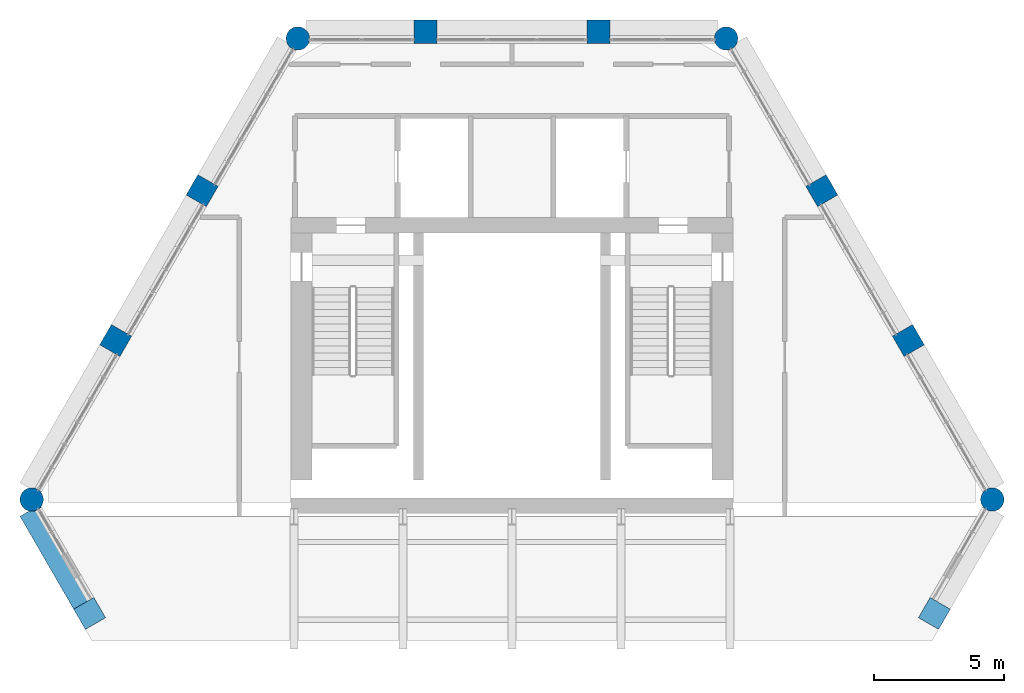
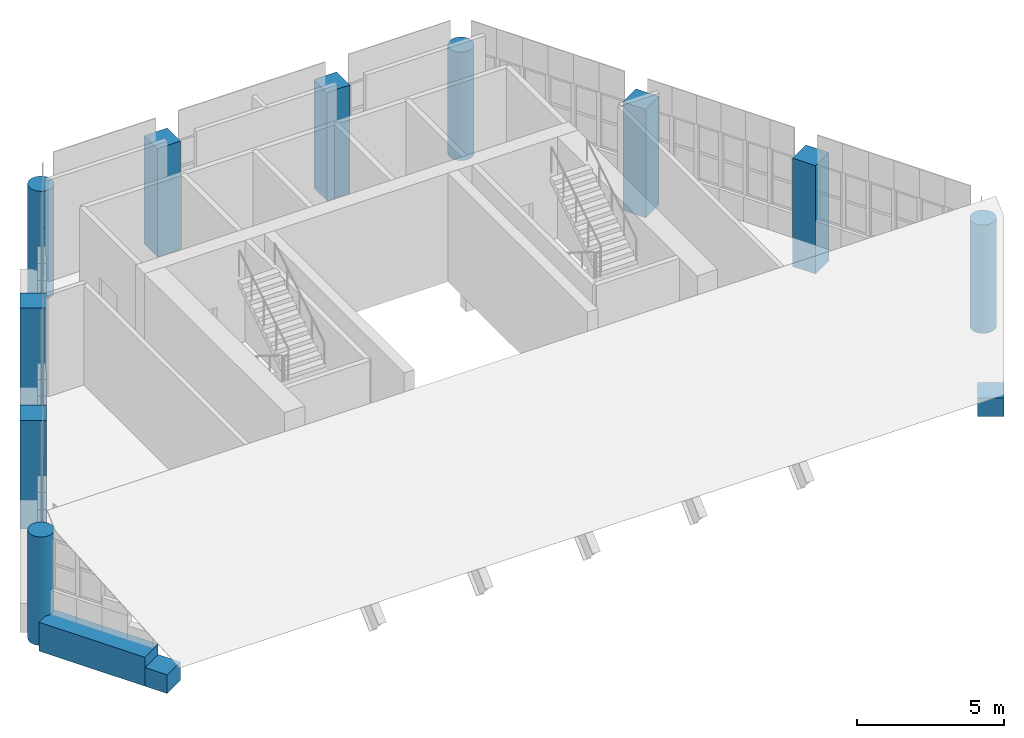
# One storey, part 1 of 20: 12 columns, 1 beam.
"""IFC4 building model written with IfcOpenShell, lengths in metres."""

import ifcopenshell
import ifcopenshell.guid

model = None  # the IFC model being written
_history = None  # IfcOwnerHistory: only IFC2X3 demands one
_inside = {}  # id of a spatial element -> (the spatial element, [elements in it])
_under = {}  # id of a project, library or spatial element -> (it, [spatial elements below it])
_declared = {}  # id of a project -> (the project, [libraries it declares])
_typed = {}  # id of a type object -> (the type object, [elements of that type])
_made_of = {}  # id of a material, layer set ... -> (it, [elements and type objects made of it])


def new_model(schema):
    """Start an empty IFC model of exactly this schema.

    Asked for "IFC4X3", IfcOpenShell would pick the latest addendum, in which some entities
    have other attributes; the version numbers below select the first issue.
    IFC2X3 requires an IfcOwnerHistory on every rooted entity: one is made here for all.
    """
    global model, _history
    if schema == "IFC4X3":
        model = ifcopenshell.file(schema_version=(4, 3, 0, 0))
    else:
        model = ifcopenshell.file(schema=schema)
    _inside.clear()
    _under.clear()
    _declared.clear()
    _typed.clear()
    _made_of.clear()
    _history = None
    if model.schema == "IFC2X3":
        org = make("IfcOrganization", Name="unknown")
        user = make(
            "IfcPersonAndOrganization",
            ThePerson=make("IfcPerson", FamilyName="unknown"),
            TheOrganization=org,
        )
        app = make(
            "IfcApplication",
            ApplicationDeveloper=org,
            Version="unknown",
            ApplicationFullName="unknown",
            ApplicationIdentifier="unknown",
        )
        _history = make(
            "IfcOwnerHistory",
            OwningUser=user,
            OwningApplication=app,
            ChangeAction="ADDED",
            CreationDate=0,
        )
    return model


def make(cls, **values):
    """One entity of the class cls with the attributes given. An attribute that is None is left unset."""
    return model.create_entity(
        cls, **{name: value for name, value in values.items() if value is not None}
    )


def rooted(cls, **values):
    """An entity with a GlobalId (a new one), such as an element, a storey or a relation."""
    return make(cls, GlobalId=ifcopenshell.guid.new(), OwnerHistory=_history, **values)


def si_unit(unit_type, name, prefix=None):
    """IfcSIUnit, for example si_unit("LENGTHUNIT", "METRE", prefix="MILLI")."""
    return make("IfcSIUnit", UnitType=unit_type, Prefix=prefix, Name=name)


def assignment(units):
    """IfcUnitAssignment: the units of a project."""
    return None if units is None else make("IfcUnitAssignment", Units=units)


def point(xyz):
    """IfcCartesianPoint."""
    return None if xyz is None else make("IfcCartesianPoint", Coordinates=xyz)


def direction(xyz):
    """IfcDirection."""
    return None if xyz is None else make("IfcDirection", DirectionRatios=xyz)


def frame(location, z_axis=None, x_axis=None):
    """IfcAxis2Placement3D, a coordinate frame: its origin and axes. An axis left out is left unset."""
    return make(
        "IfcAxis2Placement3D",
        Location=point(location),
        Axis=direction(z_axis),
        RefDirection=direction(x_axis),
    )


def frame_2d(location, x_axis=None):
    """IfcAxis2Placement2D, a coordinate frame in the plane: its origin and x axis."""
    return make(
        "IfcAxis2Placement2D", Location=point(location), RefDirection=direction(x_axis)
    )


def origin():
    """The frame at (0, 0, 0) with its axes left unset."""
    return frame((0.0, 0.0, 0.0))


def origin_2d():
    """The frame at (0, 0) in the plane with its x axis left unset."""
    return frame_2d((0.0, 0.0))


def place(relative_to, where):
    """IfcLocalPlacement: puts the frame where relative to a parent placement (None: the world)."""
    return make(
        "IfcLocalPlacement", PlacementRelTo=relative_to, RelativePlacement=where
    )


def context(
    kind, dimensions, precision=None, world=None, true_north=None, identifier=None
):
    """IfcGeometricRepresentationContext, for example the 3D "Model" context."""
    return make(
        "IfcGeometricRepresentationContext",
        ContextIdentifier=identifier,
        ContextType=kind,
        CoordinateSpaceDimension=dimensions,
        Precision=precision,
        WorldCoordinateSystem=world,
        TrueNorth=true_north,
    )


def subcontext(parent, identifier, kind, view, scale=None):
    """IfcGeometricRepresentationSubContext, for example "Body" below "Model"."""
    return make(
        "IfcGeometricRepresentationSubContext",
        ContextIdentifier=identifier,
        ContextType=kind,
        ParentContext=parent,
        TargetScale=scale,
        TargetView=view,
    )


def project(units=None, contexts=None):
    """IfcProject with its units and contexts."""
    return rooted(
        "IfcProject",
        Name="project",
        RepresentationContexts=contexts,
        UnitsInContext=assignment(units),
    )


def spatial(cls, under=None, at=None, **own):
    """A site, building, storey or space (cls), placed at a placement, below another one or the project."""
    s = rooted(cls, ObjectPlacement=at, **own)
    if under is not None:
        _under.setdefault(under.id(), (under, []))[1].append(s)
    return s


def profile(cls, at=None, kind="AREA", **sizes):
    """A parametric profile (cls). Its sizes go by their IFC names, for example OverallWidth=200.0."""
    return make(cls, ProfileType=kind, Position=at, **sizes)


def rectangle(**sizes):
    """IfcRectangleProfileDef."""
    return profile("IfcRectangleProfileDef", **sizes)


def circle(**sizes):
    """IfcCircleProfileDef."""
    return profile("IfcCircleProfileDef", **sizes)


def extrude(swept, where, along, depth):
    """IfcExtrudedAreaSolid: the profile swept, set in the frame where, extruded along a direction by depth."""
    return make(
        "IfcExtrudedAreaSolid",
        SweptArea=swept,
        Position=where,
        ExtrudedDirection=direction(along),
        Depth=depth,
    )


def shape(context_of_items, identifier, shape_type, items):
    """IfcShapeRepresentation: the items that make up one representation, for example the "Body"."""
    return make(
        "IfcShapeRepresentation",
        ContextOfItems=context_of_items,
        RepresentationIdentifier=identifier,
        RepresentationType=shape_type,
        Items=items,
    )


def material(Name=None, Category=None):
    """IfcMaterial."""
    return make("IfcMaterial", Name=Name, Category=Category)


def material_profile(
    of_material, cross_section, Name=None, Category=None, Priority=None
):
    """IfcMaterialProfile: a cross section and its material."""
    return make(
        "IfcMaterialProfile",
        Name=Name,
        Material=of_material,
        Profile=cross_section,
        Priority=Priority,
        Category=Category,
    )


def profile_set(profiles, Name=None, composite=None):
    """IfcMaterialProfileSet."""
    return make(
        "IfcMaterialProfileSet",
        Name=Name,
        MaterialProfiles=profiles,
        CompositeProfile=composite,
    )


def made_of(thing, what):
    """Note that an element or type object is made of a material, layer set ...; save() writes the relation."""
    if what is not None:
        _made_of.setdefault(what.id(), (what, []))[1].append(thing)
    return thing


def type_object(cls, material=None, **own):
    """A type object (cls), such as IfcWallType, which elements share."""
    return made_of(rooted(cls, **own), material)


def element(
    cls,
    number,
    at=None,
    inside=None,
    cuts=None,
    type_object=None,
    material=None,
    context=None,
    identifier="Body",
    shape_type=None,
    held_by="IfcProductDefinitionShape",
    body=None,
    shapes=None,
    **own,
):
    """One element of the class cls, such as IfcWall. Its Tag is "e" and its number.

    at: its placement. inside: the storey or other place that contains it. cuts: it is an
    opening in that element (IfcRelVoidsElement). A single representation is given by context,
    identifier, shape_type and body (its items); several are given by shapes. held_by: the class
    of the entity that holds the representations. save() writes the other relations.
    """
    e = rooted(cls, Tag="e%d" % number, ObjectPlacement=at, **own)
    if body is not None:
        shapes = [shape(context, identifier, shape_type, body)]
    if shapes is not None:
        e.Representation = make(held_by, Representations=shapes)
    if inside is not None:
        _inside.setdefault(inside.id(), (inside, []))[1].append(e)
    if cuts is not None:
        rooted(
            "IfcRelVoidsElement", RelatingBuildingElement=cuts, RelatedOpeningElement=e
        )
    if type_object is not None:
        _typed.setdefault(type_object.id(), (type_object, []))[1].append(e)
    return made_of(e, material)


def aggregate(whole, parts):
    """IfcRelAggregates: a whole, such as a stair, and the parts it consists of."""
    return rooted("IfcRelAggregates", RelatingObject=whole, RelatedObjects=parts)


def save(model, path):
    """Write the relations noted so far, then the file.

    IfcRelAggregates (storeys below a building ...), IfcRelContainedInSpatialStructure (elements
    in a storey), IfcRelDefinesByType, IfcRelAssociatesMaterial and IfcRelDeclares: one each for
    every whole, place, type object, material and project.
    """
    for whole, parts in _under.values():
        aggregate(whole, parts)
    for where, things in _inside.values():
        rooted(
            "IfcRelContainedInSpatialStructure",
            RelatedElements=things,
            RelatingStructure=where,
        )
    for kind, things in _typed.values():
        rooted("IfcRelDefinesByType", RelatedObjects=things, RelatingType=kind)
    for what, things in _made_of.values():
        rooted("IfcRelAssociatesMaterial", RelatedObjects=things, RelatingMaterial=what)
    for by, libraries in _declared.values():
        rooted("IfcRelDeclares", RelatingContext=by, RelatedDefinitions=libraries)
    model.write(path)


model = new_model("IFC4")

# Units and contexts
model_context = context("Model", 3, precision=1e-05, world=origin(), true_north=direction((0.0, 1.0)))
body_context = subcontext(model_context, "Body", "Model", "MODEL_VIEW")
ifc_project = project(units=[si_unit("LENGTHUNIT", "METRE"), si_unit("AREAUNIT", "SQUARE_METRE"), si_unit("VOLUMEUNIT", "CUBIC_METRE"), si_unit("PLANEANGLEUNIT", "RADIAN"), si_unit("MASSUNIT", "GRAM", prefix="KILO")], contexts=[model_context])

# Site, building, storey
site_placement = place(None, origin())
site = spatial("IfcSite", under=ifc_project, at=site_placement, CompositionType="ELEMENT")
building_placement = place(site_placement, origin())
building = spatial("IfcBuilding", under=site, at=building_placement, Name="Ostrander Bayou Hotel Tower", CompositionType="ELEMENT")
storey_placement = place(building_placement, frame((0.0, 0.0, 284.0)))
storey = spatial("IfcBuildingStorey", under=building, at=storey_placement, Name="L70", CompositionType="ELEMENT", Elevation=284.0)

# Columns
ifc_material_1 = material(Name="Concrete f'c 60 MPa", Category="concrete")
ifc_material_profile_1 = material_profile(ifc_material_1, circle(Radius=0.449951171875, at=origin_2d()))
ifc_profile_set_1 = profile_set([ifc_material_profile_1], Name="Concrete f'c 60 MPa")
column_type_1 = type_object("IfcColumnType", Name="C7 round column 900 mm f'c 60 MPa", PredefinedType="COLUMN", material=ifc_profile_set_1)
for number, where, z_axis, x_axis, name in (
    (1, (-8.2421875, 16.588623046875, -1.199951171875), (0.0, 0.0, 1.0), (1.0, 0.0, 0.0), "C7 L70 K0"),
    (2, (-18.4873046875, -1.156494140625, -1.199951171875), (0.0, 0.0, 1.0), (1.0, 0.0, 0.0), "C7 L70 K1"),
    (3, (18.4873046875, -1.156494140625, -1.199951171875), (0.0, 0.0, 1.0), (1.0, 0.0, 0.0), "C7 L70 K4"),
    (4, (8.2421875, 16.588623046875, -1.199951171875), (0.0, 0.0, 1.0), (1.0, 0.0, 0.0), "C7 L70 K5"),
):
    element("IfcColumn", number, at=place(storey_placement, frame(where, z_axis=z_axis, x_axis=x_axis)), inside=storey, type_object=column_type_1, Name=name, PredefinedType="COLUMN", context=body_context, shape_type="SweptSolid", body=[
        extrude(circle(Radius=0.449951171875, at=origin_2d()), origin(), (0.0, 0.0, 1.0), 4.5),
    ])
ifc_material_2 = material(Name="Concrete f'c 60 MPa", Category="concrete")
ifc_material_profile_2 = material_profile(ifc_material_2, rectangle(XDim=0.89990234375, YDim=0.89990234375, at=origin_2d()))
ifc_profile_set_2 = profile_set([ifc_material_profile_2], Name="Concrete f'c 60 MPa")
column_type_2 = type_object("IfcColumnType", Name="C8 square column 900 x 900 mm f'c 60 MPa", PredefinedType="COLUMN", material=ifc_profile_set_2)
for number, where, z_axis, x_axis, name in (
    (5, (3.329345703125, 16.85009765625, -1.199951171875), (0.0, 0.0, 1.0), (1.0, 0.0, 0.0), "C8 L70 N1"),
    (6, (-3.329345703125, 16.85009765625, -1.199951171875), (0.0, 0.0, 1.0), (1.0, 0.0, 0.0), "C8 L70 N2"),
    (7, (-11.92626953125, 10.72998046875, -1.199951171875), (0.0, 0.0, 1.0), (0.5, 0.866025403784, 0.0), "C8 L70 NW1"),
    (8, (-15.255615234375, 4.96337890625, -1.199951171875), (0.0, 0.0, 1.0), (0.5, 0.866025403784, 0.0), "C8 L70 NW2"),
):
    element("IfcColumn", number, at=place(storey_placement, frame(where, z_axis=z_axis, x_axis=x_axis)), inside=storey, type_object=column_type_2, Name=name, PredefinedType="COLUMN", context=body_context, shape_type="SweptSolid", body=[
        extrude(rectangle(XDim=0.89990234375, YDim=0.89990234375, at=origin_2d()), origin(), (0.0, 0.0, 1.0), 4.5),
    ])
for number, where, z_axis, x_axis, name in (
    (9, (-16.257080078125, -5.541748046875, -1.199951171875), (0.0, 0.0, 1.0), (-0.5, 0.866025403784, 0.0), "C8 L70 SW1"),
    (10, (16.257080078125, -5.541748046875, -1.199951171875), (0.0, 0.0, 1.0), (-0.5, -0.866025403784, 0.0), "C8 L70 SE2"),
):
    element("IfcColumn", number, at=place(storey_placement, frame(where, z_axis=z_axis, x_axis=x_axis)), inside=storey, type_object=column_type_2, Name=name, PredefinedType="COLUMN", context=body_context, shape_type="SweptSolid", body=[
        extrude(rectangle(XDim=0.89990234375, YDim=0.89990234375, at=origin_2d()), origin(), (0.0, 0.0, 1.0), 0.772216796875),
    ])
for number, where, z_axis, x_axis, name in (
    (11, (15.255615234375, 4.96337890625, -1.199951171875), (0.0, 0.0, 1.0), (0.5, -0.866025403784, 0.0), "C8 L70 NE1"),
    (12, (11.92626953125, 10.72998046875, -1.199951171875), (0.0, 0.0, 1.0), (0.5, -0.866025403784, 0.0), "C8 L70 NE2"),
):
    element("IfcColumn", number, at=place(storey_placement, frame(where, z_axis=z_axis, x_axis=x_axis)), inside=storey, type_object=column_type_2, Name=name, PredefinedType="COLUMN", context=body_context, shape_type="SweptSolid", body=[
        extrude(rectangle(XDim=0.89990234375, YDim=0.89990234375, at=origin_2d()), origin(), (0.0, 0.0, 1.0), 4.5),
    ])

# Beam
ifc_material_3 = material(Name="Concrete f'c 60 MPa", Category="concrete")
ifc_material_profile_3 = material_profile(ifc_material_3, rectangle(XDim=0.89990234375, YDim=1.199951171875, at=origin_2d()))
ifc_profile_set_3 = profile_set([ifc_material_profile_3], Name="Concrete f'c 60 MPa")
beam_type = type_object("IfcBeamType", Name="SP4 spandrel beam 900 x 1200 mm f'c 60 MPa", PredefinedType="SPANDREL", material=ifc_profile_set_3)
beam_placement = place(storey_placement, frame((-18.54541015625, -1.578369140625, -0.60009765625), z_axis=(0.499980071345, -0.866036909293, 0.0), x_axis=(0.866036909293, 0.499980071345, 0.0)))
element("IfcBeam", 13, at=beam_placement, inside=storey, type_object=beam_type, Name="SP4 L70 SW-1", PredefinedType="SPANDREL", context=body_context, shape_type="SweptSolid", body=[
    extrude(rectangle(XDim=0.89990234375, YDim=1.199951171875, at=origin_2d()), origin(), (0.0, 0.0, 1.0), 4.156494140625),
])

save(model, "model.ifc")
